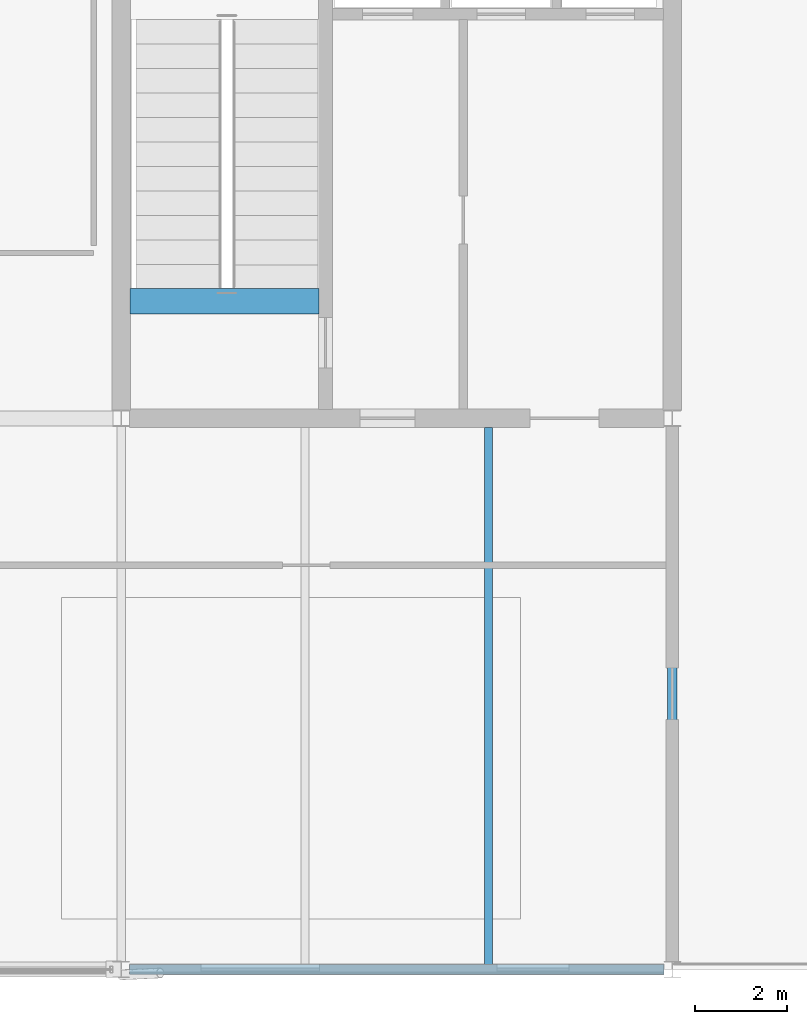
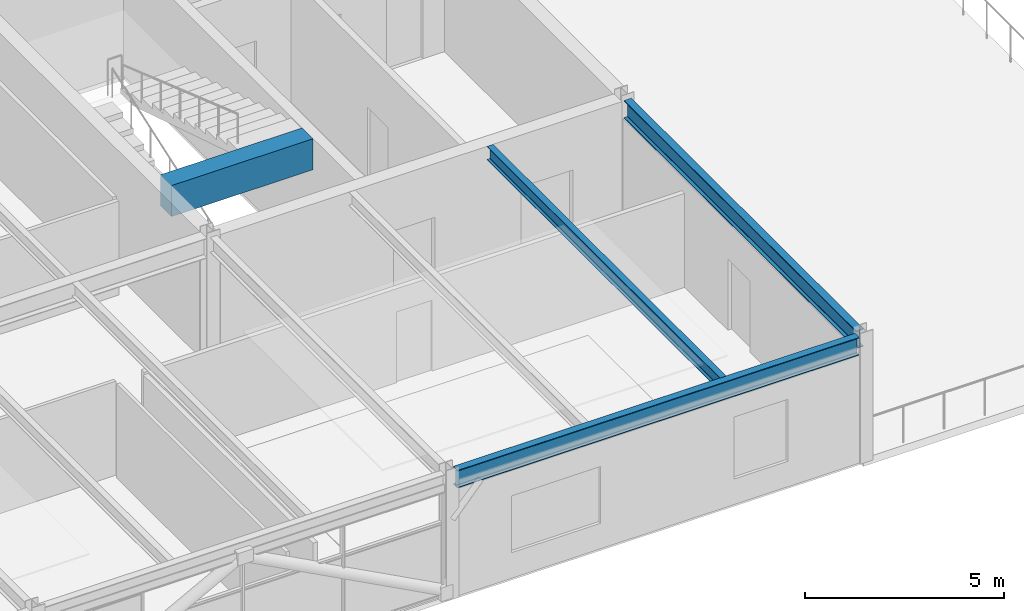
# One storey, part 24 of 32: 4 beams.
"""IFC4 building model written with IfcOpenShell, lengths in metres."""

from ifc_helpers import new_model, si_unit, direction, frame, origin, origin_2d, place, context, subcontext, project, spatial, rectangle, i_section, extrude, material, material_profile, profile_set, type_object, element, save


model = new_model("IFC4")

# Units and contexts
model_context = context("Model", 3, precision=1e-05, world=origin(), true_north=direction((0.0, 1.0)))
body_context = subcontext(model_context, "Body", "Model", "MODEL_VIEW")
ifc_project = project(units=[si_unit("LENGTHUNIT", "METRE"), si_unit("AREAUNIT", "SQUARE_METRE"), si_unit("VOLUMEUNIT", "CUBIC_METRE"), si_unit("PLANEANGLEUNIT", "RADIAN"), si_unit("MASSUNIT", "GRAM", prefix="KILO")], contexts=[model_context])

# Site, building, storey
site_placement = place(None, origin())
site = spatial("IfcSite", under=ifc_project, at=site_placement, CompositionType="ELEMENT")
building_placement = place(site_placement, origin())
building = spatial("IfcBuilding", under=site, at=building_placement, Name="Girod Span Mobility Hub", CompositionType="ELEMENT")
storey_placement = place(building_placement, frame((0.0, 0.0, 61.60009765625)))
storey = spatial("IfcBuildingStorey", under=building, at=storey_placement, Name="L15", CompositionType="ELEMENT", Elevation=61.60009765625)

# Beams
ifc_material_1 = material(Name="Concrete C40/50", Category="concrete")
ifc_material_profile_1 = material_profile(ifc_material_1, rectangle(XDim=0.550048828125, YDim=0.949951171875, at=origin_2d()), Name="RK-550X950")
ifc_profile_set_1 = profile_set([ifc_material_profile_1], Name="Concrete C40/50")
beam_type_1 = type_object("IfcBeamType", Name="BM-RK-550X950", PredefinedType="BEAM", material=ifc_profile_set_1)
beam_1_placement = place(storey_placement, frame((108.197021484375, 59.550048828125, 3.364990234375), z_axis=(1.0, 0.0, 0.0), x_axis=(0.0, 1.0, 0.0)))
element("IfcBeam", 1, at=beam_1_placement, inside=storey, type_object=beam_type_1, Name="Stair ST-2 Landing Header Beam L15", PredefinedType="BEAM", context=body_context, shape_type="SweptSolid", body=[
    extrude(rectangle(XDim=0.550048828125, YDim=0.949951171875, at=origin_2d()), origin(), (0.0, 0.0, 1.0), 4.10595703125),
])
ifc_material_2 = material(Name="Steel A992 Grade 50", Category="steel")
ifc_material_profile_2 = material_profile(ifc_material_2, i_section(OverallWidth=0.178955078125, OverallDepth=0.409912109375, WebThickness=0.0087890625, FlangeThickness=0.014404296875, FilletRadius=0.012939453125, at=origin_2d()), Name="W16X45")
ifc_profile_set_2 = profile_set([ifc_material_profile_2], Name="Steel A992 Grade 50")
beam_type_2 = type_object("IfcBeamType", Name="BM-STL-W16X45", PredefinedType="BEAM", material=ifc_profile_set_2)
beam_2_placement = place(storey_placement, frame((116.0, 45.10302734375, 3.635009765625), z_axis=(0.0, 1.0, 0.0), x_axis=(-1.0, 0.0, 0.0)))
element("IfcBeam", 2, at=beam_2_placement, inside=storey, type_object=beam_type_2, Name="Composite Floorbeam 10/D-2 L15", PredefinedType="BEAM", context=body_context, shape_type="SweptSolid", body=[
    extrude(i_section(OverallWidth=0.178955078125, OverallDepth=0.409912109375, WebThickness=0.0087890625, FlangeThickness=0.014404296875, FilletRadius=0.012939453125, at=origin_2d()), origin(), (0.0, 0.0, 1.0), 11.699951171875),
])
ifc_material_3 = material(Name="Steel A992 Grade 50", Category="steel")
ifc_material_profile_3 = material_profile(ifc_material_3, i_section(OverallWidth=0.2119140625, OverallDepth=0.5439453125, WebThickness=0.01318359375, FlangeThickness=0.021240234375, FilletRadius=0.014892578125, at=origin_2d()), Name="W21X83")
ifc_profile_set_3 = profile_set([ifc_material_profile_3], Name="Steel A992 Grade 50")
beam_type_3 = type_object("IfcBeamType", Name="BM-STL-W21X83", PredefinedType="SPANDREL", material=ifc_profile_set_3)
beam_3_placement = place(storey_placement, frame((108.181396484375, 45.0, 3.56787109375), z_axis=(1.0, 0.0, 0.0), x_axis=(0.0, 1.0, 0.0)))
element("IfcBeam", 3, at=beam_3_placement, inside=storey, type_object=beam_type_3, Name="Girder 10-11/D L15", PredefinedType="SPANDREL", context=body_context, shape_type="SweptSolid", body=[
    extrude(i_section(OverallWidth=0.2119140625, OverallDepth=0.5439453125, WebThickness=0.01318359375, FlangeThickness=0.021240234375, FilletRadius=0.014892578125, at=origin_2d()), origin(), (0.0, 0.0, 1.0), 11.63720703125),
])
beam_4_placement = place(storey_placement, frame((120.0, 45.175048828125, 3.56787109375), z_axis=(0.0, 1.0, 0.0), x_axis=(-1.0, 0.0, 0.0)))
element("IfcBeam", 4, at=beam_4_placement, inside=storey, type_object=beam_type_3, Name="Tie Girder 11/D-E L15", PredefinedType="SPANDREL", context=body_context, shape_type="SweptSolid", body=[
    extrude(i_section(OverallWidth=0.2119140625, OverallDepth=0.5439453125, WebThickness=0.01318359375, FlangeThickness=0.021240234375, FilletRadius=0.014892578125, at=origin_2d()), origin(), (0.0, 0.0, 1.0), 11.64990234375),
])

save(model, "model.ifc")
